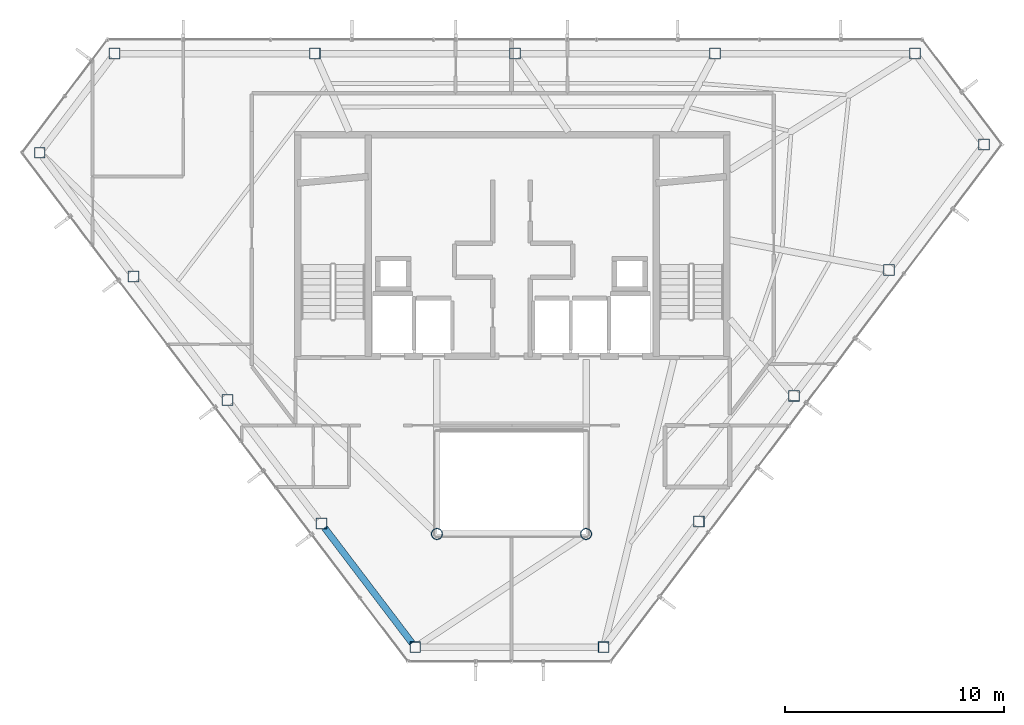
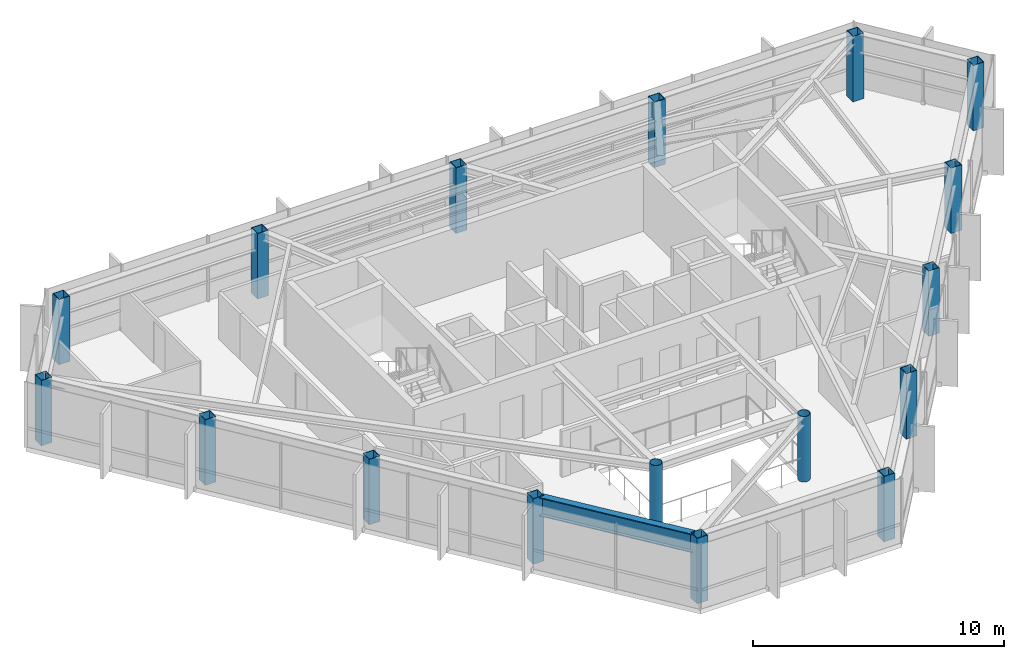
# One storey, part 1 of 24: 17 columns, 1 beam.
"""IFC4 building model written with IfcOpenShell, lengths in metres."""

from ifc_helpers import new_model, si_unit, direction, frame, origin, origin_2d, place, context, subcontext, project, spatial, hollow_rectangle, hollow_circle, i_section, extrude, material, material_profile, profile_set, type_object, element, save


model = new_model("IFC4")

# Units and contexts
model_context = context("Model", 3, precision=1e-05, world=origin(), true_north=direction((0.0, 1.0)))
body_context = subcontext(model_context, "Body", "Model", "MODEL_VIEW")
ifc_project = project(units=[si_unit("LENGTHUNIT", "METRE"), si_unit("AREAUNIT", "SQUARE_METRE"), si_unit("VOLUMEUNIT", "CUBIC_METRE"), si_unit("PLANEANGLEUNIT", "RADIAN"), si_unit("MASSUNIT", "GRAM", prefix="KILO")], contexts=[model_context])

# Site, building, storey
site_placement = place(None, origin())
site = spatial("IfcSite", under=ifc_project, at=site_placement, CompositionType="ELEMENT")
building_placement = place(site_placement, origin())
building = spatial("IfcBuilding", under=site, at=building_placement, Name="Zarrinselat Tower", CompositionType="ELEMENT")
storey_placement = place(building_placement, frame((0.0, 0.0, 272.0)))
storey = spatial("IfcBuildingStorey", under=building, at=storey_placement, Name="L69", CompositionType="ELEMENT", Elevation=272.0)

# Columns
ifc_material_1 = material(Name="Steel S355J2", Category="steel")
ifc_material_profile_1 = material_profile(ifc_material_1, hollow_circle(Radius=0.25390625, WallThickness=0.02001953125, at=origin_2d()), Name="CHS 508x20")
ifc_profile_set_1 = profile_set([ifc_material_profile_1], Name="Steel S355J2")
column_type_1 = type_object("IfcColumnType", Name="COL-CHS508", PredefinedType="COLUMN", material=ifc_profile_set_1)
for number, where, z_axis, x_axis, name in (
    (1, (35.0, 25.199951171875, 0.0), (0.0, 0.0, 1.0), (1.0, 0.0, 0.0), "L69 Atrium Corner Column 1"),
    (2, (41.800048828125, 25.199951171875, 0.0), (0.0, 0.0, 1.0), (1.0, 0.0, 0.0), "L69 Atrium Corner Column 2"),
):
    element("IfcColumn", number, at=place(storey_placement, frame(where, z_axis=z_axis, x_axis=x_axis)), inside=storey, type_object=column_type_1, Name=name, PredefinedType="COLUMN", context=body_context, shape_type="SweptSolid", body=[
        extrude(hollow_circle(Radius=0.25390625, WallThickness=0.02001953125, at=origin_2d()), origin(), (0.0, 0.0, 1.0), 3.179931640625),
    ])
ifc_material_2 = material(Name="Steel S355J2", Category="steel")
ifc_material_profile_2 = material_profile(ifc_material_2, hollow_rectangle(XDim=0.5, YDim=0.5, WallThickness=0.02490234375, at=origin_2d()), Name="SHS 500x500x25")
ifc_profile_set_2 = profile_set([ifc_material_profile_2], Name="Steel S355J2")
column_type_2 = type_object("IfcColumnType", Name="COL-SHS500", PredefinedType="COLUMN", material=ifc_profile_set_2)
for number, where, z_axis, x_axis, name in (
    (3, (56.8037109375, 47.10009765625, 0.0), (0.0, 0.0, 1.0), (1.0, 0.0, 0.0), "L69 Framed-Tube Column T01"),
    (4, (47.679443359375, 47.10009765625, 0.0), (0.0, 0.0, 1.0), (1.0, 0.0, 0.0), "L69 Framed-Tube Column T02"),
    (5, (38.555419921875, 47.10009765625, 0.0), (0.0, 0.0, 1.0), (1.0, 0.0, 0.0), "L69 Framed-Tube Column T03"),
    (6, (29.431396484375, 47.10009765625, 0.0), (0.0, 0.0, 1.0), (1.0, 0.0, 0.0), "L69 Framed-Tube Column T04"),
    (7, (20.30712890625, 47.10009765625, 0.0), (0.0, 0.0, 1.0), (1.0, 0.0, 0.0), "L69 Framed-Tube Column T05"),
    (8, (16.890625, 42.582275390625, 0.0), (0.0, 0.0, 1.0), (1.0, 0.0, 0.0), "L69 Framed-Tube Column T06"),
    (9, (21.1708984375, 36.9462890625, 0.0), (0.0, 0.0, 1.0), (1.0, 0.0, 0.0), "L69 Framed-Tube Column T07"),
    (10, (25.450927734375, 31.31005859375, 0.0), (0.0, 0.0, 1.0), (1.0, 0.0, 0.0), "L69 Framed-Tube Column T08"),
    (11, (29.73095703125, 25.674072265625, 0.0), (0.0, 0.0, 1.0), (1.0, 0.0, 0.0), "L69 Framed-Tube Column T09"),
    (12, (34.010986328125, 20.0380859375, 0.0), (0.0, 0.0, 1.0), (1.0, 0.0, 0.0), "L69 Framed-Tube Column T10"),
    (13, (42.603759765625, 20.0380859375, 0.0), (0.0, 0.0, 1.0), (1.0, 0.0, 0.0), "L69 Framed-Tube Column T11"),
    (14, (46.9384765625, 25.77001953125, 0.0), (0.0, 0.0, 1.0), (1.0, 0.0, 0.0), "L69 Framed-Tube Column T12"),
    (15, (51.273193359375, 31.502197265625, 0.0), (0.0, 0.0, 1.0), (1.0, 0.0, 0.0), "L69 Framed-Tube Column T13"),
    (16, (55.60791015625, 37.234375, 0.0), (0.0, 0.0, 1.0), (1.0, 0.0, 0.0), "L69 Framed-Tube Column T14"),
    (17, (59.942626953125, 42.966552734375, 0.0), (0.0, 0.0, 1.0), (1.0, 0.0, 0.0), "L69 Framed-Tube Column T15"),
):
    element("IfcColumn", number, at=place(storey_placement, frame(where, z_axis=z_axis, x_axis=x_axis)), inside=storey, type_object=column_type_2, Name=name, PredefinedType="COLUMN", context=body_context, shape_type="SweptSolid", body=[
        extrude(hollow_rectangle(XDim=0.5, YDim=0.5, WallThickness=0.02490234375, at=origin_2d()), origin(), (0.0, 0.0, 1.0), 3.179931640625),
    ])

# Beam
ifc_material_3 = material(Name="Steel S460M", Category="steel")
ifc_material_profile_3 = material_profile(ifc_material_3, i_section(OverallWidth=0.302001953125, OverallDepth=0.909912109375, WebThickness=0.02099609375, FlangeThickness=0.0400390625, at=origin_2d()), Name="HEM 900")
ifc_profile_set_3 = profile_set([ifc_material_profile_3], Name="Steel S460M")
beam_type = type_object("IfcBeamType", Name="BM-HEM900", PredefinedType="BEAM", material=ifc_profile_set_3)
beam_placement = place(storey_placement, frame((29.875, 25.484619140625, 2.72509765625), z_axis=(0.604776578329, -0.796395184757, 0.0), x_axis=(0.796395184757, 0.604776578329, 0.0)))
element("IfcBeam", 18, at=beam_placement, inside=storey, type_object=beam_type, Name="L69 Perimeter Spandrel Girder SP09", PredefinedType="BEAM", context=body_context, shape_type="SweptSolid", body=[
    extrude(i_section(OverallWidth=0.302001953125, OverallDepth=0.909912109375, WebThickness=0.02099609375, FlangeThickness=0.0400390625, at=origin_2d()), origin(), (0.0, 0.0, 1.0), 6.60107421875),
])

save(model, "model.ifc")
